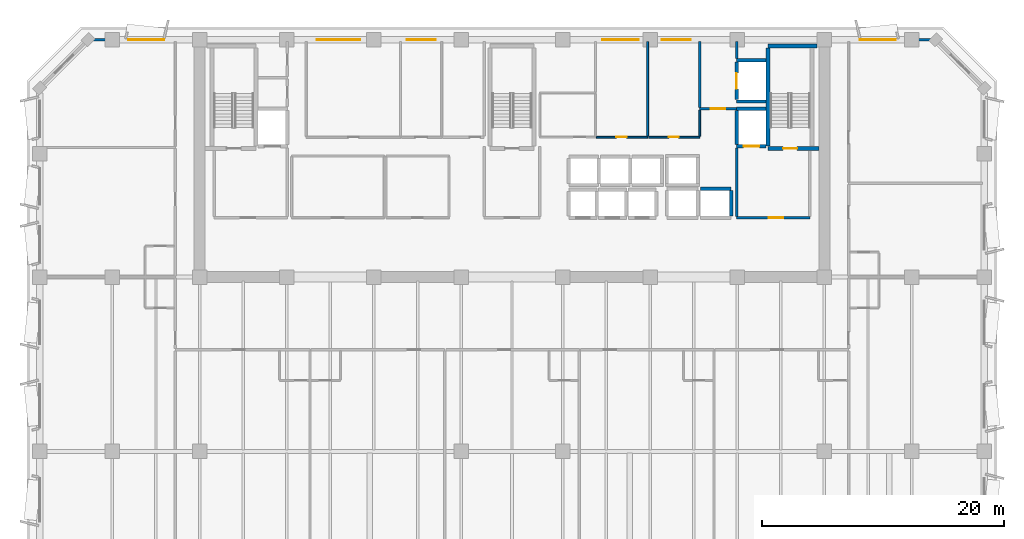
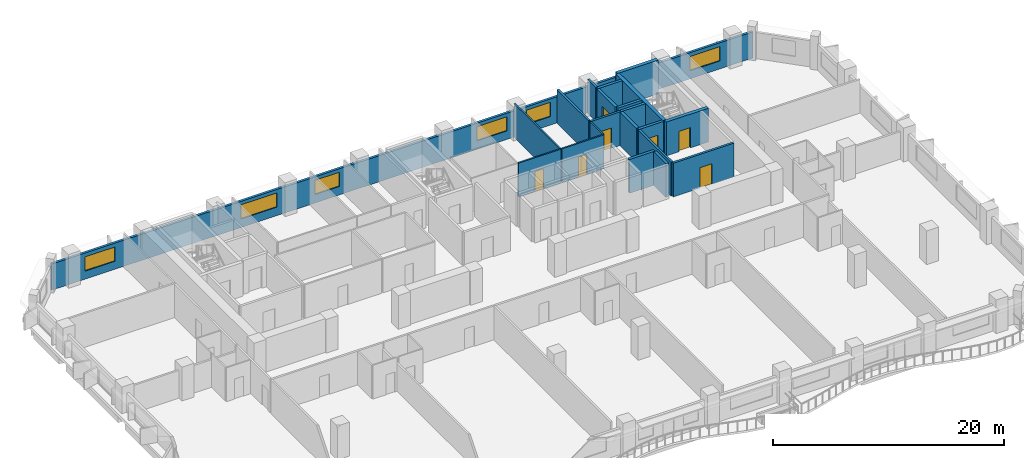
# One storey, part 7 of 14: 21 walls, 7 doors, 6 windows, 13 openings.
"""IFC4 building model written with IfcOpenShell, lengths in metres."""

from ifc_helpers import new_model, si_unit, direction, frame, frame_2d, origin, place, context, subcontext, project, spatial, rectangle, extrude, material, layer, layer_set, type_object, element, fill, save


model = new_model("IFC4")

# Units and contexts
model_context = context("Model", 3, precision=1e-05, world=origin(), true_north=direction((0.0, 1.0)))
body_context = subcontext(model_context, "Body", "Model", "MODEL_VIEW")
ifc_project = project(units=[si_unit("LENGTHUNIT", "METRE"), si_unit("AREAUNIT", "SQUARE_METRE"), si_unit("VOLUMEUNIT", "CUBIC_METRE"), si_unit("PLANEANGLEUNIT", "RADIAN"), si_unit("MASSUNIT", "GRAM", prefix="KILO")], contexts=[model_context])

# Site, building, storey
site_placement = place(None, origin())
site = spatial("IfcSite", under=ifc_project, at=site_placement, CompositionType="ELEMENT")
building_placement = place(site_placement, origin())
building = spatial("IfcBuilding", under=site, at=building_placement, Name="Kaelvorn Grand Hotel", CompositionType="ELEMENT")
storey_placement = place(building_placement, frame((0.0, 0.0, 209.14990234375)))
storey = spatial("IfcBuildingStorey", under=building, at=storey_placement, Name="L51", CompositionType="ELEMENT", Elevation=209.14990234375)

# Wall, openings, windows
ifc_material_1 = material(Name="Concrete C40/50", Category="concrete")
ifc_layer_1 = layer(ifc_material_1, 0.239990234375)
ifc_layer_set_1 = layer_set([ifc_layer_1], Name="Concrete C40/50")
wall_type_1 = type_object("IfcWallType", Name="WL-EXT-240-C40", PredefinedType="SOLIDWALL", material=ifc_layer_set_1)
wall_1_placement = place(storey_placement, frame((77.0, 49.0, 0.0), z_axis=(0.0, 0.0, 1.0), x_axis=(-1.0, 0.0, 0.0)))
wall_1 = element("IfcWall", 1, at=wall_1_placement, inside=storey, type_object=wall_type_1, Name="L51 Exterior Architectural Concrete Wall 05", PredefinedType="SOLIDWALL", context=body_context, shape_type="SweptSolid", body=[
    extrude(rectangle(XDim=70.0, YDim=0.239990234375, at=frame_2d((35.0, 0.0))), origin(), (0.0, 0.0, 1.0), 2.760009765625),
])
opening_1_placement = place(wall_1_placement, frame((63.699951171875, 0.0, 0.85009765625)))
opening_1 = element("IfcOpeningElement", 2, at=opening_1_placement, cuts=wall_1, Name="Opening W5", PredefinedType="OPENING", context=body_context, shape_type="SweptSolid", body=[
    extrude(rectangle(XDim=3.0, YDim=1.5, at=frame_2d((1.5, 0.75))), frame((0.0, 0.1298828125, 0.0), z_axis=(0.0, -1.0, 0.0), x_axis=(1.0, 0.0, 0.0)), (0.0, 0.0, 1.0), 0.260009765625),
])
opening_2_placement = place(wall_1_placement, frame((3.300048828125, 0.0, 0.85009765625)))
opening_2 = element("IfcOpeningElement", 3, at=opening_2_placement, cuts=wall_1, Name="Opening W5", PredefinedType="OPENING", context=body_context, shape_type="SweptSolid", body=[
    extrude(rectangle(XDim=3.0, YDim=1.5, at=frame_2d((1.5, 0.75))), frame((0.0, 0.1298828125, 0.0), z_axis=(0.0, -1.0, 0.0), x_axis=(1.0, 0.0, 0.0)), (0.0, 0.0, 1.0), 0.260009765625),
])
opening_3_placement = place(wall_1_placement, frame((47.514892578125, 0.0, 0.89990234375)))
opening_3 = element("IfcOpeningElement", 4, at=opening_3_placement, cuts=wall_1, Name="Opening W3", PredefinedType="OPENING", context=body_context, shape_type="SweptSolid", body=[
    extrude(rectangle(XDim=3.60009765625, YDim=1.5, at=frame_2d((1.800048828125, 0.75))), frame((0.0, 0.1298828125, 0.0), z_axis=(0.0, -1.0, 0.0), x_axis=(1.0, 0.0, 0.0)), (0.0, 0.0, 1.0), 0.260009765625),
])
opening_4_placement = place(wall_1_placement, frame((41.300048828125, 0.0, 0.89990234375)))
opening_4 = element("IfcOpeningElement", 5, at=opening_4_placement, cuts=wall_1, Name="Opening W6", PredefinedType="OPENING", context=body_context, shape_type="SweptSolid", body=[
    extrude(rectangle(XDim=2.39990234375, YDim=1.5, at=frame_2d((1.199951171875, 0.75))), frame((0.0, 0.1298828125, 0.0), z_axis=(0.0, -1.0, 0.0), x_axis=(1.0, 0.0, 0.0)), (0.0, 0.0, 1.0), 0.260009765625),
])
opening_5_placement = place(wall_1_placement, frame((24.550048828125, 0.0, 0.89990234375)))
opening_5 = element("IfcOpeningElement", 6, at=opening_5_placement, cuts=wall_1, Name="Opening W5", PredefinedType="OPENING", context=body_context, shape_type="SweptSolid", body=[
    extrude(rectangle(XDim=3.0, YDim=1.5, at=frame_2d((1.5, 0.75))), frame((0.0, 0.1298828125, 0.0), z_axis=(0.0, -1.0, 0.0), x_axis=(1.0, 0.0, 0.0)), (0.0, 0.0, 1.0), 0.260009765625),
])
opening_6_placement = place(wall_1_placement, frame((20.235107421875, 0.0, 0.89990234375)))
opening_6 = element("IfcOpeningElement", 7, at=opening_6_placement, cuts=wall_1, Name="Opening W6", PredefinedType="OPENING", context=body_context, shape_type="SweptSolid", body=[
    extrude(rectangle(XDim=2.39990234375, YDim=1.5, at=frame_2d((1.199951171875, 0.75))), frame((0.0, 0.1298828125, 0.0), z_axis=(0.0, -1.0, 0.0), x_axis=(1.0, 0.0, 0.0)), (0.0, 0.0, 1.0), 0.260009765625),
])
ifc_material_2 = material(Name="Laminated Low-E Glass", Category="glass")
window_type_1 = type_object("IfcWindowType", Name="WIN-NTH-2400x1500", PartitioningType="SINGLE_PANEL", PredefinedType="WINDOW", material=ifc_material_2)
window_1_placement = place(opening_4_placement, origin())
window_1 = element("IfcWindow", 8, at=window_1_placement, inside=storey, type_object=window_type_1, Name="L51 North Core Clerestory Ribbon Window NC04", OverallHeight=1.5, OverallWidth=2.39990234375, PartitioningType="SINGLE_PANEL", PredefinedType="WINDOW", context=body_context, shape_type="SweptSolid", body=[
    extrude(rectangle(XDim=2.39990234375, YDim=1.5, at=frame_2d((1.199951171875, 0.75))), frame((0.0, 0.030029296875, 0.0), z_axis=(0.0, -1.0, 0.0), x_axis=(1.0, 0.0, 0.0)), (0.0, 0.0, 1.0), 0.06005859375),
])
fill(opening_4, window_1)
window_2_placement = place(opening_6_placement, origin())
window_2 = element("IfcWindow", 9, at=window_2_placement, inside=storey, type_object=window_type_1, Name="L51 North Core Clerestory Ribbon Window NC06", OverallHeight=1.5, OverallWidth=2.39990234375, PartitioningType="SINGLE_PANEL", PredefinedType="WINDOW", context=body_context, shape_type="SweptSolid", body=[
    extrude(rectangle(XDim=2.39990234375, YDim=1.5, at=frame_2d((1.199951171875, 0.75))), frame((0.0, 0.030029296875, 0.0), z_axis=(0.0, -1.0, 0.0), x_axis=(1.0, 0.0, 0.0)), (0.0, 0.0, 1.0), 0.06005859375),
])
fill(opening_6, window_2)
window_type_2 = type_object("IfcWindowType", Name="WIN-NTH-3000x1500", PartitioningType="SINGLE_PANEL", PredefinedType="WINDOW", material=ifc_material_2)
window_3_placement = place(opening_1_placement, origin())
window_3 = element("IfcWindow", 10, at=window_3_placement, inside=storey, type_object=window_type_2, Name="L51 North Wing Ribbon Window NW01", OverallHeight=1.5, OverallWidth=3.0, PartitioningType="SINGLE_PANEL", PredefinedType="WINDOW", context=body_context, shape_type="SweptSolid", body=[
    extrude(rectangle(XDim=3.0, YDim=1.5, at=frame_2d((1.5, 0.75))), frame((0.0, 0.030029296875, 0.0), z_axis=(0.0, -1.0, 0.0), x_axis=(1.0, 0.0, 0.0)), (0.0, 0.0, 1.0), 0.06005859375),
])
fill(opening_1, window_3)
window_4_placement = place(opening_2_placement, origin())
window_4 = element("IfcWindow", 11, at=window_4_placement, inside=storey, type_object=window_type_2, Name="L51 North Wing Ribbon Window NW02", OverallHeight=1.5, OverallWidth=3.0, PartitioningType="SINGLE_PANEL", PredefinedType="WINDOW", context=body_context, shape_type="SweptSolid", body=[
    extrude(rectangle(XDim=3.0, YDim=1.5, at=frame_2d((1.5, 0.75))), frame((0.0, 0.030029296875, 0.0), z_axis=(0.0, -1.0, 0.0), x_axis=(1.0, 0.0, 0.0)), (0.0, 0.0, 1.0), 0.06005859375),
])
fill(opening_2, window_4)
window_5_placement = place(opening_5_placement, origin())
window_5 = element("IfcWindow", 12, at=window_5_placement, inside=storey, type_object=window_type_2, Name="L51 North Core Clerestory Ribbon Window NC05", OverallHeight=1.5, OverallWidth=3.0, PartitioningType="SINGLE_PANEL", PredefinedType="WINDOW", context=body_context, shape_type="SweptSolid", body=[
    extrude(rectangle(XDim=3.0, YDim=1.5, at=frame_2d((1.5, 0.75))), frame((0.0, 0.030029296875, 0.0), z_axis=(0.0, -1.0, 0.0), x_axis=(1.0, 0.0, 0.0)), (0.0, 0.0, 1.0), 0.06005859375),
])
fill(opening_5, window_5)
window_type_3 = type_object("IfcWindowType", Name="WIN-RIB-3600x1750", PartitioningType="SINGLE_PANEL", PredefinedType="WINDOW", material=ifc_material_2)
window_6_placement = place(opening_3_placement, origin())
window_6 = element("IfcWindow", 13, at=window_6_placement, inside=storey, type_object=window_type_3, Name="L51 North Core Clerestory Ribbon Window NC03", OverallHeight=1.5, OverallWidth=3.60009765625, PartitioningType="SINGLE_PANEL", PredefinedType="WINDOW", context=body_context, shape_type="SweptSolid", body=[
    extrude(rectangle(XDim=3.60009765625, YDim=1.5, at=frame_2d((1.800048828125, 0.75))), frame((0.0, 0.030029296875, 0.0), z_axis=(0.0, -1.0, 0.0), x_axis=(1.0, 0.0, 0.0)), (0.0, 0.0, 1.0), 0.06005859375),
])
fill(opening_3, window_6)

# Wall, opening, door
ifc_material_3 = material(Name="Acoustic Gypsum & Stud Partition")
ifc_layer_2 = layer(ifc_material_3, 0.14990234375)
ifc_layer_set_2 = layer_set([ifc_layer_2], Name="Acoustic Gypsum & Stud Partition")
wall_type_2 = type_object("IfcWallType", Name="WL-PART-150-EI60", PredefinedType="PARTITIONING", material=ifc_layer_set_2)
wall_2_placement = place(storey_placement, frame((48.967529296875, 40.949951171875, 0.0), z_axis=(0.0, 0.0, 1.0), x_axis=(1.0, 0.0, 0.0)))
wall_2 = element("IfcWall", 14, at=wall_2_placement, inside=storey, type_object=wall_type_2, Name="L51 Minibar & Glassware Store S Partition", PredefinedType="PARTITIONING", context=body_context, shape_type="SweptSolid", body=[
    extrude(rectangle(XDim=4.232421875, YDim=0.14990234375, at=frame_2d((2.1162109375, 0.0))), origin(), (0.0, 0.0, 1.0), 3.56005859375),
])
opening_7_placement = place(wall_2_placement, frame((1.657470703125, 0.0, 0.0)))
opening_7 = element("IfcOpeningElement", 15, at=opening_7_placement, cuts=wall_2, Name="Opening DI7", PredefinedType="OPENING", context=body_context, shape_type="SweptSolid", body=[
    extrude(rectangle(XDim=0.85009765625, YDim=2.10009765625, at=frame_2d((0.425048828125, 1.050048828125))), frame((0.0, 0.0849609375, 0.0), z_axis=(0.0, -1.0, 0.0), x_axis=(1.0, 0.0, 0.0)), (0.0, 0.0, 1.0), 0.169921875),
])
ifc_material_4 = material(Name="Powder-Coated Steel Leaf", Category="steel")
door_type_1 = type_object("IfcDoorType", Name="DR-INT-RISER-850x2100", OperationType="NOTDEFINED", PredefinedType="DOOR", material=ifc_material_4)
door_1_placement = place(opening_7_placement, origin())
door_1 = element("IfcDoor", 16, at=door_1_placement, inside=storey, type_object=door_type_1, Name="L51 Minibar & Glassware Store Door", OperationType="SINGLE_SWING_RIGHT", OverallHeight=2.10009765625, OverallWidth=0.85009765625, PredefinedType="DOOR", context=body_context, shape_type="SweptSolid", body=[
    extrude(rectangle(XDim=0.85009765625, YDim=2.10009765625, at=frame_2d((0.425048828125, 1.050048828125))), frame((0.0, 0.02490234375, 0.0), z_axis=(0.0, -1.0, 0.0), x_axis=(1.0, 0.0, 0.0)), (0.0, 0.0, 1.0), 0.050048828125),
])
fill(opening_7, door_1)

# Wall
wall_3_placement = place(storey_placement, frame((53.199951171875, 41.030029296875, 0.0), z_axis=(0.0, 0.0, 1.0), x_axis=(0.0, 1.0, 0.0)))
element("IfcWall", 17, at=wall_3_placement, inside=storey, type_object=wall_type_2, Name="L51 Minibar & Glassware Store E Partition", PredefinedType="PARTITIONING", context=body_context, shape_type="SweptSolid", body=[
    extrude(rectangle(XDim=7.820068359375, YDim=0.14990234375, at=frame_2d((3.91015625, 0.0))), origin(), (0.0, 0.0, 1.0), 3.56005859375),
])

# Wall, opening, door
wall_4_placement = place(storey_placement, frame((53.280029296875, 40.949951171875, 0.0), z_axis=(0.0, 0.0, 1.0), x_axis=(1.0, 0.0, 0.0)))
wall_4 = element("IfcWall", 18, at=wall_4_placement, inside=storey, type_object=wall_type_2, Name="L51 Floor IT & Comms Room S Partition", PredefinedType="PARTITIONING", context=body_context, shape_type="SweptSolid", body=[
    extrude(rectangle(XDim=4.219970703125, YDim=0.14990234375, at=frame_2d((2.10986328125, 0.0))), origin(), (0.0, 0.0, 1.0), 3.56005859375),
])
opening_8_placement = place(wall_4_placement, frame((1.64501953125, 0.0, 0.0)))
opening_8 = element("IfcOpeningElement", 19, at=opening_8_placement, cuts=wall_4, Name="Opening DI7", PredefinedType="OPENING", context=body_context, shape_type="SweptSolid", body=[
    extrude(rectangle(XDim=0.85009765625, YDim=2.10009765625, at=frame_2d((0.425048828125, 1.050048828125))), frame((0.0, 0.0849609375, 0.0), z_axis=(0.0, -1.0, 0.0), x_axis=(1.0, 0.0, 0.0)), (0.0, 0.0, 1.0), 0.169921875),
])
door_2_placement = place(opening_8_placement, origin())
door_2 = element("IfcDoor", 20, at=door_2_placement, inside=storey, type_object=door_type_1, Name="L51 Floor IT & Comms Room Door", OperationType="SINGLE_SWING_LEFT", OverallHeight=2.10009765625, OverallWidth=0.85009765625, PredefinedType="DOOR", context=body_context, shape_type="SweptSolid", body=[
    extrude(rectangle(XDim=0.85009765625, YDim=2.10009765625, at=frame_2d((0.425048828125, 1.050048828125))), frame((0.0, 0.02490234375, 0.0), z_axis=(0.0, -1.0, 0.0), x_axis=(1.0, 0.0, 0.0)), (0.0, 0.0, 1.0), 0.050048828125),
])
fill(opening_8, door_2)

# Wall
wall_5_placement = place(storey_placement, frame((57.5, 41.030029296875, 0.0), z_axis=(0.0, 0.0, 1.0), x_axis=(0.0, 1.0, 0.0)))
element("IfcWall", 21, at=wall_5_placement, inside=storey, type_object=wall_type_2, Name="L51 Floor IT & Comms Room E Partition", PredefinedType="PARTITIONING", context=body_context, shape_type="SweptSolid", body=[
    extrude(rectangle(XDim=2.155029296875, YDim=0.14990234375, at=frame_2d((1.07763671875, 0.0))), origin(), (0.0, 0.0, 1.0), 3.56005859375),
])

# Wall, opening, door
ifc_layer_3 = layer(ifc_material_1, 0.219970703125)
ifc_layer_set_3 = layer_set([ifc_layer_3], Name="Concrete C40/50")
wall_type_3 = type_object("IfcWallType", Name="WL-PART-220-EI120", PredefinedType="PARTITIONING", material=ifc_layer_set_3)
wall_6_placement = place(storey_placement, frame((60.550048828125, 34.300048828125, 0.0), z_axis=(0.0, 0.0, 1.0), x_axis=(1.0, 0.0, 0.0)))
wall_6 = element("IfcWall", 22, at=wall_6_placement, inside=storey, type_object=wall_type_3, Name="L51 Firefighting Lift Lobby 2 S Partition", PredefinedType="PARTITIONING", context=body_context, shape_type="SweptSolid", body=[
    extrude(rectangle(XDim=6.050048828125, YDim=0.219970703125, at=frame_2d((3.02490234375, 0.0))), origin(), (0.0, 0.0, 1.0), 3.56005859375),
])
opening_9_placement = place(wall_6_placement, frame((2.64990234375, 0.0, 0.0)))
opening_9 = element("IfcOpeningElement", 23, at=opening_9_placement, cuts=wall_6, Name="Opening DI2", PredefinedType="OPENING", context=body_context, shape_type="SweptSolid", body=[
    extrude(rectangle(XDim=1.199951171875, YDim=2.14990234375, at=frame_2d((0.60009765625, 1.074951171875))), frame((0.0, 0.1201171875, 0.0), z_axis=(0.0, -1.0, 0.0), x_axis=(1.0, 0.0, 0.0)), (0.0, 0.0, 1.0), 0.239990234375),
])
ifc_material_5 = material(Name="Timber Veneer Fire Leaf", Category="wood")
door_type_2 = type_object("IfcDoorType", Name="DR-INT-FFLOB-1200x2150", OperationType="NOTDEFINED", PredefinedType="DOOR", material=ifc_material_5)
door_3_placement = place(opening_9_placement, origin())
door_3 = element("IfcDoor", 24, at=door_3_placement, inside=storey, type_object=door_type_2, Name="L51 Firefighting Lift Lobby 2 Door", OperationType="SINGLE_SWING_LEFT", OverallHeight=2.14990234375, OverallWidth=1.199951171875, PredefinedType="DOOR", context=body_context, shape_type="SweptSolid", body=[
    extrude(rectangle(XDim=1.199951171875, YDim=2.14990234375, at=frame_2d((0.60009765625, 1.074951171875))), frame((0.0, 0.02490234375, 0.0), z_axis=(0.0, -1.0, 0.0), x_axis=(1.0, 0.0, 0.0)), (0.0, 0.0, 1.0), 0.050048828125),
])
fill(opening_9, door_3)

# Wall
wall_7_placement = place(storey_placement, frame((60.550048828125, 34.4150390625, 0.0), z_axis=(0.0, 0.0, 1.0), x_axis=(0.0, 1.0, 0.0)))
element("IfcWall", 25, at=wall_7_placement, inside=storey, type_object=wall_type_3, Name="L51 Firefighting Lift Lobby 2 W Partition", PredefinedType="PARTITIONING", context=body_context, shape_type="SweptSolid", body=[
    extrude(rectangle(XDim=5.639892578125, YDim=0.219970703125, at=frame_2d((2.81982421875, 0.0))), origin(), (0.0, 0.0, 1.0), 3.56005859375),
])

# Wall, opening, door
wall_8_placement = place(storey_placement, frame((57.5, 43.300048828125, 0.0), z_axis=(0.0, 0.0, 1.0), x_axis=(1.0, 0.0, 0.0)))
wall_8 = element("IfcWall", 26, at=wall_8_placement, inside=storey, type_object=wall_type_3, Name="L51 Service Lift Lobby S Partition", PredefinedType="PARTITIONING", context=body_context, shape_type="SweptSolid", body=[
    extrude(rectangle(XDim=3.0400390625, YDim=0.219970703125, at=frame_2d((1.52001953125, 0.0))), origin(), (0.0, 0.0, 1.0), 3.56005859375),
])
opening_10_placement = place(wall_8_placement, frame((0.89990234375, 0.0, 0.0)))
opening_10 = element("IfcOpeningElement", 27, at=opening_10_placement, cuts=wall_8, Name="Opening DI2", PredefinedType="OPENING", context=body_context, shape_type="SweptSolid", body=[
    extrude(rectangle(XDim=1.199951171875, YDim=2.14990234375, at=frame_2d((0.60009765625, 1.074951171875))), frame((0.0, 0.1201171875, 0.0), z_axis=(0.0, -1.0, 0.0), x_axis=(1.0, 0.0, 0.0)), (0.0, 0.0, 1.0), 0.239990234375),
])
door_4_placement = place(opening_10_placement, origin())
door_4 = element("IfcDoor", 28, at=door_4_placement, inside=storey, type_object=door_type_2, Name="L51 Service Lift Lobby Door", OperationType="SINGLE_SWING_LEFT", OverallHeight=2.14990234375, OverallWidth=1.199951171875, PredefinedType="DOOR", context=body_context, shape_type="SweptSolid", body=[
    extrude(rectangle(XDim=1.199951171875, YDim=2.14990234375, at=frame_2d((0.60009765625, 1.074951171875))), frame((0.0, 0.02490234375, 0.0), z_axis=(0.0, -1.0, 0.0), x_axis=(1.0, 0.0, 0.0)), (0.0, 0.0, 1.0), 0.050048828125),
])
fill(opening_10, door_4)

# Walls
wall_9_placement = place(storey_placement, frame((57.5, 43.4150390625, 0.0), z_axis=(0.0, 0.0, 1.0), x_axis=(0.0, 1.0, 0.0)))
element("IfcWall", 29, at=wall_9_placement, inside=storey, type_object=wall_type_3, Name="L51 Service Lift Lobby W Partition", PredefinedType="PARTITIONING", context=body_context, shape_type="SweptSolid", body=[
    extrude(rectangle(XDim=5.43505859375, YDim=0.219970703125, at=frame_2d((2.717529296875, 0.0))), origin(), (0.0, 0.0, 1.0), 3.56005859375),
])
wall_10_placement = place(storey_placement, frame((60.550048828125, 47.445068359375, 0.0), z_axis=(0.0, 0.0, 1.0), x_axis=(0.0, 1.0, 0.0)))
element("IfcWall", 30, at=wall_10_placement, inside=storey, type_object=wall_type_3, Name="L51 Service Lift Lobby E Partition", PredefinedType="PARTITIONING", context=body_context, shape_type="SweptSolid", body=[
    extrude(rectangle(XDim=1.405029296875, YDim=0.219970703125, at=frame_2d((0.70263671875, 0.0))), origin(), (0.0, 0.0, 1.0), 3.56005859375),
])
ifc_material_6 = material(Name="Concrete C50/60", Category="concrete")
ifc_layer_4 = layer(ifc_material_6, 0.280029296875)
ifc_layer_set_4 = layer_set([ifc_layer_4], Name="Concrete C50/60")
wall_type_4 = type_object("IfcWallType", Name="WL-SHAFT-280-C50", PredefinedType="SHEAR", material=ifc_layer_set_4)
wall_11_placement = place(storey_placement, frame((57.550048828125, 36.699951171875, 0.0), z_axis=(0.0, 0.0, 1.0), x_axis=(1.0, 0.0, 0.0)))
element("IfcWall", 31, at=wall_11_placement, inside=storey, type_object=wall_type_4, Name="L51 Lift OL-2 Shaft North Wall", PredefinedType="SHEAR", context=body_context, shape_type="SweptSolid", body=[
    extrude(rectangle(XDim=2.550048828125, YDim=0.280029296875, at=frame_2d((1.27490234375, 0.0))), origin(), (0.0, 0.0, 1.0), 3.56005859375),
])
wall_12_placement = place(storey_placement, frame((60.10009765625, 34.445068359375, 0.0), z_axis=(0.0, 0.0, 1.0), x_axis=(0.0, 1.0, 0.0)))
element("IfcWall", 32, at=wall_12_placement, inside=storey, type_object=wall_type_4, Name="L51 Lift OL-2 Shaft East Wall", PredefinedType="SHEAR", context=body_context, shape_type="SweptSolid", body=[
    extrude(rectangle(XDim=2.10986328125, YDim=0.280029296875, at=frame_2d((1.054931640625, 0.0))), origin(), (0.0, 0.0, 1.0), 3.56005859375),
])

# Wall, opening, door
wall_13_placement = place(storey_placement, frame((60.550048828125, 40.199951171875, 0.0), z_axis=(0.0, 0.0, 1.0), x_axis=(1.0, 0.0, 0.0)))
wall_13 = element("IfcWall", 33, at=wall_13_placement, inside=storey, type_object=wall_type_4, Name="L51 Lift FFL2 Shaft South Wall", PredefinedType="SHEAR", context=body_context, shape_type="SweptSolid", body=[
    extrude(rectangle(XDim=2.4150390625, YDim=0.280029296875, at=frame_2d((1.20751953125, 0.0))), origin(), (0.0, 0.0, 1.0), 3.56005859375),
])
opening_11_placement = place(wall_13_placement, frame((0.574951171875, 0.0, 0.0)))
opening_11 = element("IfcOpeningElement", 34, at=opening_11_placement, cuts=wall_13, Name="Opening LD-FFL2", PredefinedType="OPENING", context=body_context, shape_type="SweptSolid", body=[
    extrude(rectangle(XDim=1.300048828125, YDim=2.300048828125, at=frame_2d((0.64990234375, 1.14990234375))), frame((0.0, 0.14990234375, 0.0), z_axis=(0.0, -1.0, 0.0), x_axis=(1.0, 0.0, 0.0)), (0.0, 0.0, 1.0), 0.300048828125),
])
ifc_material_7 = material(Name="Stainless Steel", Category="steel")
door_type_3 = type_object("IfcDoorType", Name="DR-LIFT-SERV-1300x2300", OperationType="DOUBLE_DOOR_SLIDING", PredefinedType="DOOR", material=ifc_material_7)
door_5_placement = place(opening_11_placement, origin())
door_5 = element("IfcDoor", 35, at=door_5_placement, inside=storey, type_object=door_type_3, Name="L51 Lift FFL2 Sliding Landing Door LD-FFL2", OperationType="DOUBLE_DOOR_SLIDING", OverallHeight=2.300048828125, OverallWidth=1.300048828125, PredefinedType="DOOR", context=body_context, shape_type="SweptSolid", body=[
    extrude(rectangle(XDim=1.300048828125, YDim=2.300048828125, at=frame_2d((0.64990234375, 1.14990234375))), frame((0.0, 0.02490234375, 0.0), z_axis=(0.0, -1.0, 0.0), x_axis=(1.0, 0.0, 0.0)), (0.0, 0.0, 1.0), 0.050048828125),
])
fill(opening_11, door_5)

# Walls
wall_14_placement = place(storey_placement, frame((60.550048828125, 43.300048828125, 0.0), z_axis=(0.0, 0.0, 1.0), x_axis=(1.0, 0.0, 0.0)))
element("IfcWall", 36, at=wall_14_placement, inside=storey, type_object=wall_type_4, Name="L51 Lift FFL2 Shaft North Wall", PredefinedType="SHEAR", context=body_context, shape_type="SweptSolid", body=[
    extrude(rectangle(XDim=2.4150390625, YDim=0.280029296875, at=frame_2d((1.20751953125, 0.0))), origin(), (0.0, 0.0, 1.0), 3.56005859375),
])
wall_15_placement = place(storey_placement, frame((60.550048828125, 40.344970703125, 0.0), z_axis=(0.0, 0.0, 1.0), x_axis=(0.0, 1.0, 0.0)))
element("IfcWall", 37, at=wall_15_placement, inside=storey, type_object=wall_type_4, Name="L51 Lift FFL2 Shaft West Wall", PredefinedType="SHEAR", context=body_context, shape_type="SweptSolid", body=[
    extrude(rectangle(XDim=2.81005859375, YDim=0.280029296875, at=frame_2d((1.405029296875, 0.0))), origin(), (0.0, 0.0, 1.0), 3.56005859375),
])
for number, where, z_axis, x_axis, name in (
    (38, (60.550048828125, 43.89990234375, 0.0), (0.0, 0.0, 1.0), (1.0, 0.0, 0.0), "L51 Lift SV1 Shaft South Wall"),
    (39, (60.550048828125, 47.300048828125, 0.0), (0.0, 0.0, 1.0), (1.0, 0.0, 0.0), "L51 Lift SV1 Shaft North Wall"),
):
    element("IfcWall", number, at=place(storey_placement, frame(where, z_axis=z_axis, x_axis=x_axis)), inside=storey, type_object=wall_type_4, Name=name, PredefinedType="SHEAR", context=body_context, shape_type="SweptSolid", body=[
        extrude(rectangle(XDim=2.4150390625, YDim=0.280029296875, at=frame_2d((1.20751953125, 0.0))), origin(), (0.0, 0.0, 1.0), 3.56005859375),
    ])

# Wall, opening, door
wall_16_placement = place(storey_placement, frame((60.550048828125, 44.044921875, 0.0), z_axis=(0.0, 0.0, 1.0), x_axis=(0.0, 1.0, 0.0)))
wall_16 = element("IfcWall", 40, at=wall_16_placement, inside=storey, type_object=wall_type_4, Name="L51 Lift SV1 Shaft West Wall", PredefinedType="SHEAR", context=body_context, shape_type="SweptSolid", body=[
    extrude(rectangle(XDim=3.110107421875, YDim=0.280029296875, at=frame_2d((1.55517578125, 0.0))), origin(), (0.0, 0.0, 1.0), 3.56005859375),
])
opening_12_placement = place(wall_16_placement, frame((0.905029296875, 0.0, 0.0)))
opening_12 = element("IfcOpeningElement", 41, at=opening_12_placement, cuts=wall_16, Name="Opening LD-SV1", PredefinedType="OPENING", context=body_context, shape_type="SweptSolid", body=[
    extrude(rectangle(XDim=1.300048828125, YDim=2.300048828125, at=frame_2d((0.64990234375, 1.14990234375))), frame((0.0, 0.14990234375, 0.0), z_axis=(0.0, -1.0, 0.0), x_axis=(1.0, 0.0, 0.0)), (0.0, 0.0, 1.0), 0.300048828125),
])
door_6_placement = place(opening_12_placement, origin())
door_6 = element("IfcDoor", 42, at=door_6_placement, inside=storey, type_object=door_type_3, Name="L51 Lift SV1 Sliding Landing Door LD-SV1", OperationType="DOUBLE_DOOR_SLIDING", OverallHeight=2.300048828125, OverallWidth=1.300048828125, PredefinedType="DOOR", context=body_context, shape_type="SweptSolid", body=[
    extrude(rectangle(XDim=1.300048828125, YDim=2.300048828125, at=frame_2d((0.64990234375, 1.14990234375))), frame((0.0, 0.02490234375, 0.0), z_axis=(0.0, -1.0, 0.0), x_axis=(1.0, 0.0, 0.0)), (0.0, 0.0, 1.0), 0.050048828125),
])
fill(opening_12, door_6)

ifc_material_8 = material(Name="Concrete C60/75", Category="concrete")
ifc_layer_5 = layer(ifc_material_8, 0.35009765625)
ifc_layer_set_5 = layer_set([ifc_layer_5], Name="Concrete C60/75")
wall_type_5 = type_object("IfcWallType", Name="WL-SHAFT-350-C60", PredefinedType="SHEAR", material=ifc_layer_set_5)
wall_17_placement = place(storey_placement, frame((63.14501953125, 40.02490234375, 0.0), z_axis=(0.0, 0.0, 1.0), x_axis=(1.0, 0.0, 0.0)))
wall_17 = element("IfcWall", 43, at=wall_17_placement, inside=storey, type_object=wall_type_5, Name="L51 ST3 Stair Shaft South Wall", PredefinedType="SHEAR", context=body_context, shape_type="SweptSolid", body=[
    extrude(rectangle(XDim=4.199951171875, YDim=0.35009765625, at=frame_2d((2.10009765625, 0.0))), origin(), (0.0, 0.0, 1.0), 3.56005859375),
])
opening_13_placement = place(wall_17_placement, frame((1.239990234375, 0.0, 0.0)))
opening_13 = element("IfcOpeningElement", 44, at=opening_13_placement, cuts=wall_17, Name="Opening DI1", PredefinedType="OPENING", context=body_context, shape_type="SweptSolid", body=[
    extrude(rectangle(XDim=1.14990234375, YDim=2.14990234375, at=frame_2d((0.574951171875, 1.074951171875))), frame((0.0, 0.18505859375, 0.0), z_axis=(0.0, -1.0, 0.0), x_axis=(1.0, 0.0, 0.0)), (0.0, 0.0, 1.0), 0.3701171875),
])
door_type_4 = type_object("IfcDoorType", Name="DR-INT-STAIR-1150x2150", OperationType="NOTDEFINED", PredefinedType="DOOR", material=ifc_material_5)
door_7_placement = place(opening_13_placement, origin())
door_7 = element("IfcDoor", 45, at=door_7_placement, inside=storey, type_object=door_type_4, Name="L51 ST3 Exit Stair Fire Door", OperationType="SINGLE_SWING_LEFT", OverallHeight=2.14990234375, OverallWidth=1.14990234375, PredefinedType="DOOR", context=body_context, shape_type="SweptSolid", body=[
    extrude(rectangle(XDim=1.14990234375, YDim=2.14990234375, at=frame_2d((0.574951171875, 1.074951171875))), frame((0.0, 0.02490234375, 0.0), z_axis=(0.0, -1.0, 0.0), x_axis=(1.0, 0.0, 0.0)), (0.0, 0.0, 1.0), 0.050048828125),
])
fill(opening_13, door_7)

# Walls
wall_18_placement = place(storey_placement, frame((63.14501953125, 48.47509765625, 0.0), z_axis=(0.0, 0.0, 1.0), x_axis=(1.0, 0.0, 0.0)))
element("IfcWall", 46, at=wall_18_placement, inside=storey, type_object=wall_type_5, Name="L51 ST3 Stair Shaft North Wall", PredefinedType="SHEAR", context=body_context, shape_type="SweptSolid", body=[
    extrude(rectangle(XDim=4.050048828125, YDim=0.35009765625, at=frame_2d((2.02490234375, 0.0))), origin(), (0.0, 0.0, 1.0), 3.56005859375),
])
wall_19_placement = place(storey_placement, frame((63.14501953125, 40.205078125, 0.0), z_axis=(0.0, 0.0, 1.0), x_axis=(0.0, 1.0, 0.0)))
element("IfcWall", 47, at=wall_19_placement, inside=storey, type_object=wall_type_5, Name="L51 ST3 Stair Shaft West Wall", PredefinedType="SHEAR", context=body_context, shape_type="SweptSolid", body=[
    extrude(rectangle(XDim=8.08984375, YDim=0.35009765625, at=frame_2d((4.044921875, 0.0))), origin(), (0.0, 0.0, 1.0), 3.56005859375),
])

save(model, "model.ifc")
